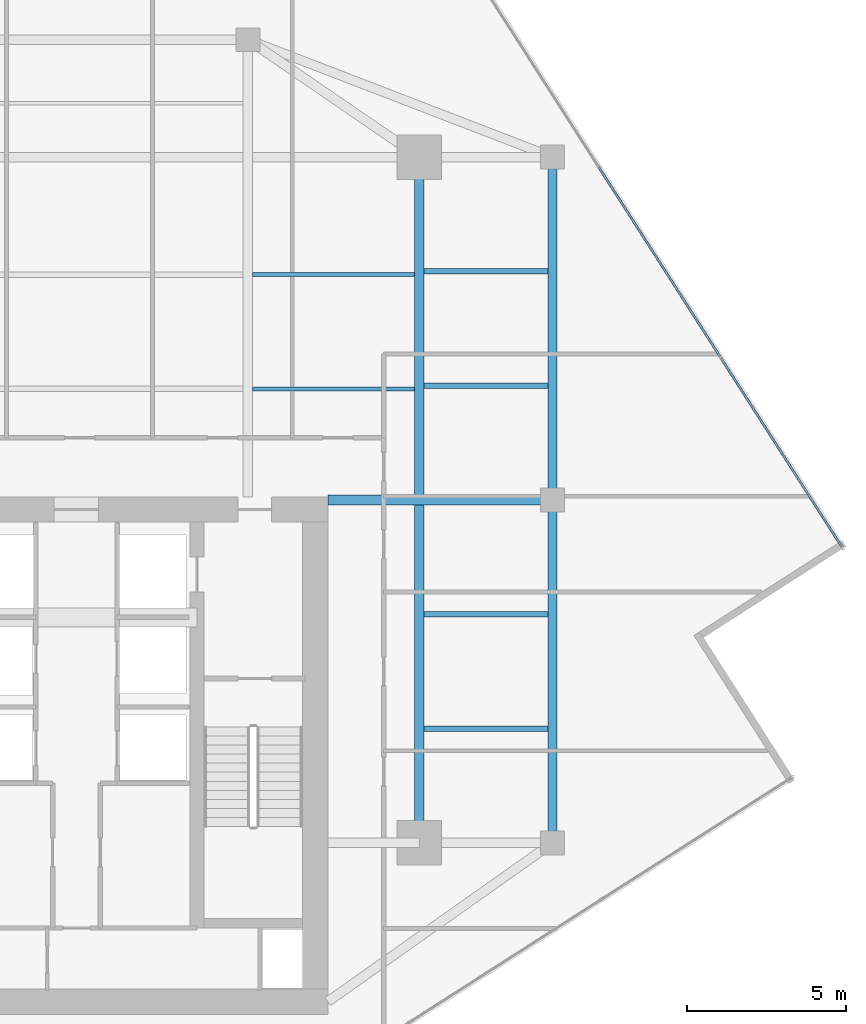
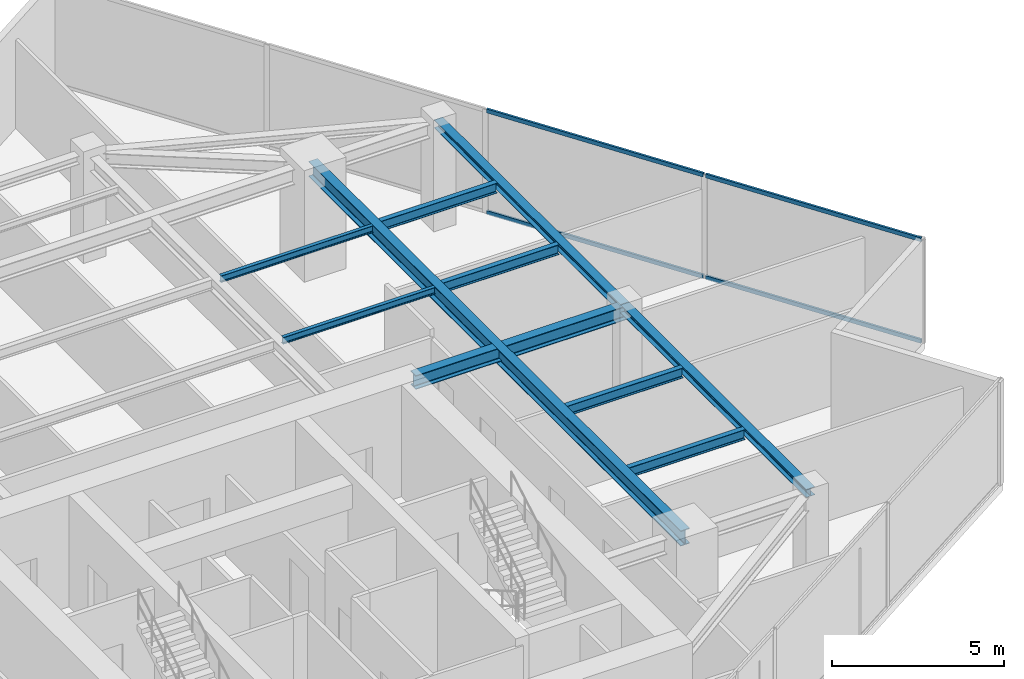
# One storey, part 9 of 20: 10 beams, 4 members, 1 element without a shape of its own.
"""IFC4 building model written with IfcOpenShell, lengths in metres."""

import ifcopenshell
import ifcopenshell.guid

model = None  # the IFC model being written
_history = None  # IfcOwnerHistory: only IFC2X3 demands one
_inside = {}  # id of a spatial element -> (the spatial element, [elements in it])
_under = {}  # id of a project, library or spatial element -> (it, [spatial elements below it])
_declared = {}  # id of a project -> (the project, [libraries it declares])
_typed = {}  # id of a type object -> (the type object, [elements of that type])
_made_of = {}  # id of a material, layer set ... -> (it, [elements and type objects made of it])


def new_model(schema):
    """Start an empty IFC model of exactly this schema.

    Asked for "IFC4X3", IfcOpenShell would pick the latest addendum, in which some entities
    have other attributes; the version numbers below select the first issue.
    IFC2X3 requires an IfcOwnerHistory on every rooted entity: one is made here for all.
    """
    global model, _history
    if schema == "IFC4X3":
        model = ifcopenshell.file(schema_version=(4, 3, 0, 0))
    else:
        model = ifcopenshell.file(schema=schema)
    _inside.clear()
    _under.clear()
    _declared.clear()
    _typed.clear()
    _made_of.clear()
    _history = None
    if model.schema == "IFC2X3":
        org = make("IfcOrganization", Name="unknown")
        user = make(
            "IfcPersonAndOrganization",
            ThePerson=make("IfcPerson", FamilyName="unknown"),
            TheOrganization=org,
        )
        app = make(
            "IfcApplication",
            ApplicationDeveloper=org,
            Version="unknown",
            ApplicationFullName="unknown",
            ApplicationIdentifier="unknown",
        )
        _history = make(
            "IfcOwnerHistory",
            OwningUser=user,
            OwningApplication=app,
            ChangeAction="ADDED",
            CreationDate=0,
        )
    return model


def make(cls, **values):
    """One entity of the class cls with the attributes given. An attribute that is None is left unset."""
    return model.create_entity(
        cls, **{name: value for name, value in values.items() if value is not None}
    )


def rooted(cls, **values):
    """An entity with a GlobalId (a new one), such as an element, a storey or a relation."""
    return make(cls, GlobalId=ifcopenshell.guid.new(), OwnerHistory=_history, **values)


def si_unit(unit_type, name, prefix=None):
    """IfcSIUnit, for example si_unit("LENGTHUNIT", "METRE", prefix="MILLI")."""
    return make("IfcSIUnit", UnitType=unit_type, Prefix=prefix, Name=name)


def assignment(units):
    """IfcUnitAssignment: the units of a project."""
    return None if units is None else make("IfcUnitAssignment", Units=units)


def point(xyz):
    """IfcCartesianPoint."""
    return None if xyz is None else make("IfcCartesianPoint", Coordinates=xyz)


def direction(xyz):
    """IfcDirection."""
    return None if xyz is None else make("IfcDirection", DirectionRatios=xyz)


def frame(location, z_axis=None, x_axis=None):
    """IfcAxis2Placement3D, a coordinate frame: its origin and axes. An axis left out is left unset."""
    return make(
        "IfcAxis2Placement3D",
        Location=point(location),
        Axis=direction(z_axis),
        RefDirection=direction(x_axis),
    )


def frame_2d(location, x_axis=None):
    """IfcAxis2Placement2D, a coordinate frame in the plane: its origin and x axis."""
    return make(
        "IfcAxis2Placement2D", Location=point(location), RefDirection=direction(x_axis)
    )


def origin():
    """The frame at (0, 0, 0) with its axes left unset."""
    return frame((0.0, 0.0, 0.0))


def origin_2d():
    """The frame at (0, 0) in the plane with its x axis left unset."""
    return frame_2d((0.0, 0.0))


def place(relative_to, where):
    """IfcLocalPlacement: puts the frame where relative to a parent placement (None: the world)."""
    return make(
        "IfcLocalPlacement", PlacementRelTo=relative_to, RelativePlacement=where
    )


def context(
    kind, dimensions, precision=None, world=None, true_north=None, identifier=None
):
    """IfcGeometricRepresentationContext, for example the 3D "Model" context."""
    return make(
        "IfcGeometricRepresentationContext",
        ContextIdentifier=identifier,
        ContextType=kind,
        CoordinateSpaceDimension=dimensions,
        Precision=precision,
        WorldCoordinateSystem=world,
        TrueNorth=true_north,
    )


def subcontext(parent, identifier, kind, view, scale=None):
    """IfcGeometricRepresentationSubContext, for example "Body" below "Model"."""
    return make(
        "IfcGeometricRepresentationSubContext",
        ContextIdentifier=identifier,
        ContextType=kind,
        ParentContext=parent,
        TargetScale=scale,
        TargetView=view,
    )


def project(units=None, contexts=None):
    """IfcProject with its units and contexts."""
    return rooted(
        "IfcProject",
        Name="project",
        RepresentationContexts=contexts,
        UnitsInContext=assignment(units),
    )


def spatial(cls, under=None, at=None, **own):
    """A site, building, storey or space (cls), placed at a placement, below another one or the project."""
    s = rooted(cls, ObjectPlacement=at, **own)
    if under is not None:
        _under.setdefault(under.id(), (under, []))[1].append(s)
    return s


def profile(cls, at=None, kind="AREA", **sizes):
    """A parametric profile (cls). Its sizes go by their IFC names, for example OverallWidth=200.0."""
    return make(cls, ProfileType=kind, Position=at, **sizes)


def hollow_rectangle(**sizes):
    """IfcRectangleHollowProfileDef."""
    return profile("IfcRectangleHollowProfileDef", **sizes)


def i_section(**sizes):
    """IfcIShapeProfileDef."""
    return profile("IfcIShapeProfileDef", **sizes)


def extrude(swept, where, along, depth):
    """IfcExtrudedAreaSolid: the profile swept, set in the frame where, extruded along a direction by depth."""
    return make(
        "IfcExtrudedAreaSolid",
        SweptArea=swept,
        Position=where,
        ExtrudedDirection=direction(along),
        Depth=depth,
    )


def shape(context_of_items, identifier, shape_type, items):
    """IfcShapeRepresentation: the items that make up one representation, for example the "Body"."""
    return make(
        "IfcShapeRepresentation",
        ContextOfItems=context_of_items,
        RepresentationIdentifier=identifier,
        RepresentationType=shape_type,
        Items=items,
    )


def source(mapping_origin, context_of_items, identifier, shape_type, items):
    """IfcRepresentationMap: a shape defined once, which mapped items show again and again."""
    return make(
        "IfcRepresentationMap",
        MappingOrigin=mapping_origin,
        MappedRepresentation=shape(context_of_items, identifier, shape_type, items),
    )


def transform(
    local_origin,
    x_axis=None,
    y_axis=None,
    z_axis=None,
    scale=None,
    scale2=None,
    scale3=None,
    uniform=True,
):
    """IfcCartesianTransformationOperator3D, or its non-uniform kind. x_axis, y_axis, z_axis: its Axis1, 2, 3."""
    if uniform:
        return make(
            "IfcCartesianTransformationOperator3D",
            Axis1=direction(x_axis),
            Axis2=direction(y_axis),
            LocalOrigin=point(local_origin),
            Scale=scale,
            Axis3=direction(z_axis),
        )
    return make(
        "IfcCartesianTransformationOperator3DnonUniform",
        Axis1=direction(x_axis),
        Axis2=direction(y_axis),
        LocalOrigin=point(local_origin),
        Scale=scale,
        Axis3=direction(z_axis),
        Scale2=scale2,
        Scale3=scale3,
    )


def mapped(mapping_source, mapping_target):
    """IfcMappedItem: shows the shape of a source again, moved by a transform."""
    return make(
        "IfcMappedItem", MappingSource=mapping_source, MappingTarget=mapping_target
    )


def material(Name=None, Category=None):
    """IfcMaterial."""
    return make("IfcMaterial", Name=Name, Category=Category)


def material_profile(
    of_material, cross_section, Name=None, Category=None, Priority=None
):
    """IfcMaterialProfile: a cross section and its material."""
    return make(
        "IfcMaterialProfile",
        Name=Name,
        Material=of_material,
        Profile=cross_section,
        Priority=Priority,
        Category=Category,
    )


def profile_set(profiles, Name=None, composite=None):
    """IfcMaterialProfileSet."""
    return make(
        "IfcMaterialProfileSet",
        Name=Name,
        MaterialProfiles=profiles,
        CompositeProfile=composite,
    )


def made_of(thing, what):
    """Note that an element or type object is made of a material, layer set ...; save() writes the relation."""
    if what is not None:
        _made_of.setdefault(what.id(), (what, []))[1].append(thing)
    return thing


def type_object(cls, material=None, **own):
    """A type object (cls), such as IfcWallType, which elements share."""
    return made_of(rooted(cls, **own), material)


def type_shapes(of_type, sources):
    """Give a type object the sources (RepresentationMaps) that its elements show as mapped items."""
    of_type.RepresentationMaps = sources


def element(
    cls,
    number,
    at=None,
    inside=None,
    cuts=None,
    type_object=None,
    material=None,
    context=None,
    identifier="Body",
    shape_type=None,
    held_by="IfcProductDefinitionShape",
    body=None,
    shapes=None,
    **own,
):
    """One element of the class cls, such as IfcWall. Its Tag is "e" and its number.

    at: its placement. inside: the storey or other place that contains it. cuts: it is an
    opening in that element (IfcRelVoidsElement). A single representation is given by context,
    identifier, shape_type and body (its items); several are given by shapes. held_by: the class
    of the entity that holds the representations. save() writes the other relations.
    """
    e = rooted(cls, Tag="e%d" % number, ObjectPlacement=at, **own)
    if body is not None:
        shapes = [shape(context, identifier, shape_type, body)]
    if shapes is not None:
        e.Representation = make(held_by, Representations=shapes)
    if inside is not None:
        _inside.setdefault(inside.id(), (inside, []))[1].append(e)
    if cuts is not None:
        rooted(
            "IfcRelVoidsElement", RelatingBuildingElement=cuts, RelatedOpeningElement=e
        )
    if type_object is not None:
        _typed.setdefault(type_object.id(), (type_object, []))[1].append(e)
    return made_of(e, material)


def aggregate(whole, parts):
    """IfcRelAggregates: a whole, such as a stair, and the parts it consists of."""
    return rooted("IfcRelAggregates", RelatingObject=whole, RelatedObjects=parts)


def save(model, path):
    """Write the relations noted so far, then the file.

    IfcRelAggregates (storeys below a building ...), IfcRelContainedInSpatialStructure (elements
    in a storey), IfcRelDefinesByType, IfcRelAssociatesMaterial and IfcRelDeclares: one each for
    every whole, place, type object, material and project.
    """
    for whole, parts in _under.values():
        aggregate(whole, parts)
    for where, things in _inside.values():
        rooted(
            "IfcRelContainedInSpatialStructure",
            RelatedElements=things,
            RelatingStructure=where,
        )
    for kind, things in _typed.values():
        rooted("IfcRelDefinesByType", RelatedObjects=things, RelatingType=kind)
    for what, things in _made_of.values():
        rooted("IfcRelAssociatesMaterial", RelatedObjects=things, RelatingMaterial=what)
    for by, libraries in _declared.values():
        rooted("IfcRelDeclares", RelatingContext=by, RelatedDefinitions=libraries)
    model.write(path)


model = new_model("IFC4")

# Units and contexts
model_context = context("Model", 3, precision=1e-05, world=origin(), true_north=direction((0.0, 1.0)))
body_context = subcontext(model_context, "Body", "Model", "MODEL_VIEW")
ifc_project = project(units=[si_unit("LENGTHUNIT", "METRE"), si_unit("AREAUNIT", "SQUARE_METRE"), si_unit("VOLUMEUNIT", "CUBIC_METRE"), si_unit("PLANEANGLEUNIT", "RADIAN"), si_unit("MASSUNIT", "GRAM", prefix="KILO")], contexts=[model_context])

# Site, building, storey
site_placement = place(None, origin())
site = spatial("IfcSite", under=ifc_project, at=site_placement, CompositionType="ELEMENT")
building_placement = place(site_placement, origin())
building = spatial("IfcBuilding", under=site, at=building_placement, Name="Krantzveldt Concourse Tower", CompositionType="ELEMENT")
storey_placement = place(building_placement, frame((0.0, 0.0, 291.10009765625)))
storey = spatial("IfcBuildingStorey", under=building, at=storey_placement, Name="L71", CompositionType="ELEMENT", Elevation=291.10009765625)

# Beams
ifc_material_1 = material(Name="Steel S355JR", Category="steel")
ifc_material_profile_1 = material_profile(ifc_material_1, i_section(OverallWidth=0.300048828125, OverallDepth=0.489990234375, WebThickness=0.011962890625, FlangeThickness=0.02294921875, FilletRadius=0.027099609375, at=origin_2d()), Name="Steel S355JR", Category="steel")
ifc_profile_set_1 = profile_set([ifc_material_profile_1], Name="Steel S355JR - HEA 500")
beam_type_1 = type_object("IfcBeamType", Name="BM-B-HEA500", PredefinedType="BEAM", material=ifc_profile_set_1)
shared_shape_1 = source(origin(), body_context, "Body", "SweptSolid", [
    extrude(i_section(OverallWidth=0.300048828125, OverallDepth=0.489990234375, WebThickness=0.011962890625, FlangeThickness=0.02294921875, FilletRadius=0.027099609375, at=origin_2d()), origin(), (0.0, 0.0, 1.0), 7.080078125),
])
type_shapes(beam_type_1, [shared_shape_1])
beam_1_placement = place(storey_placement, frame((43.919921875, 26.699951171875, 3.4248046875), z_axis=(1.0, 0.0, 0.0), x_axis=(0.0, 1.0, 0.0)))
element("IfcBeam", 1, at=beam_1_placement, inside=storey, type_object=beam_type_1, Name="L71 Tower Girder BG-CE2", PredefinedType="BEAM", context=body_context, shape_type="MappedRepresentation", body=[
    mapped(shared_shape_1, transform((0.0, 0.0, 0.0), x_axis=(1.0, 0.0, 0.0), y_axis=(0.0, 1.0, 0.0), z_axis=(0.0, 0.0, 1.0), scale=1.0)),
])
ifc_material_profile_2 = material_profile(ifc_material_1, i_section(OverallWidth=0.300048828125, OverallDepth=0.5400390625, WebThickness=0.012451171875, FlangeThickness=0.02392578125, FilletRadius=0.027099609375, at=origin_2d()), Name="Steel S355JR", Category="steel")
ifc_profile_set_2 = profile_set([ifc_material_profile_2], Name="Steel S355JR - HEA 550")
beam_type_2 = type_object("IfcBeamType", Name="BM-B-HEA550", PredefinedType="BEAM", material=ifc_profile_set_2)
shared_shape_2 = source(origin(), body_context, "Body", "SweptSolid", [
    extrude(i_section(OverallWidth=0.300048828125, OverallDepth=0.5400390625, WebThickness=0.012451171875, FlangeThickness=0.02392578125, FilletRadius=0.027099609375, at=origin_2d()), origin(), (0.0, 0.0, 1.0), 21.60009765625),
])
type_shapes(beam_type_2, [shared_shape_2])
beam_2_placement = place(storey_placement, frame((46.800048828125, 15.89990234375, 3.39990234375), z_axis=(0.0, 1.0, 0.0), x_axis=(-1.0, 0.0, 0.0)))
element("IfcBeam", 2, at=beam_2_placement, inside=storey, type_object=beam_type_2, Name="L71 Tower Girder BG-ME", PredefinedType="BEAM", context=body_context, shape_type="MappedRepresentation", body=[
    mapped(shared_shape_2, transform((0.0, 0.0, 0.0), x_axis=(1.0, 0.0, 0.0), y_axis=(0.0, 1.0, 0.0), z_axis=(0.0, 0.0, 1.0), scale=1.0)),
])
ifc_material_profile_3 = material_profile(ifc_material_1, i_section(OverallWidth=0.2900390625, OverallDepth=0.2900390625, WebThickness=0.008544921875, FlangeThickness=0.013916015625, FilletRadius=0.027099609375, at=origin_2d()), Name="Steel S355JR", Category="steel")
ifc_profile_set_3 = profile_set([ifc_material_profile_3], Name="Steel S355JR - HEA 300")
beam_type_3 = type_object("IfcBeamType", Name="BM-SP-HEA300", PredefinedType="SPANDREL", material=ifc_profile_set_3)
shared_shape_3 = source(origin(), body_context, "Body", "SweptSolid", [
    extrude(i_section(OverallWidth=0.2900390625, OverallDepth=0.2900390625, WebThickness=0.008544921875, FlangeThickness=0.013916015625, FilletRadius=0.027099609375, at=origin_2d()), origin(), (0.0, 0.0, 1.0), 10.800048828125),
])
type_shapes(beam_type_3, [shared_shape_3])
for number, where, z_axis, x_axis, name in (
    (3, (51.0, 37.5, 3.52490234375), (0.0, -1.0, 0.0), (1.0, 0.0, 0.0), "L71 Tower Girder SP-R06"),
    (4, (51.0, 26.699951171875, 3.52490234375), (0.0, -1.0, 0.0), (1.0, 0.0, 0.0), "L71 Tower Girder SP-R07"),
):
    element("IfcBeam", number, at=place(storey_placement, frame(where, z_axis=z_axis, x_axis=x_axis)), inside=storey, type_object=beam_type_3, Name=name, PredefinedType="SPANDREL", context=body_context, shape_type="MappedRepresentation", body=[
        mapped(shared_shape_3, transform((0.0, 0.0, 0.0), x_axis=(1.0, 0.0, 0.0), y_axis=(0.0, 1.0, 0.0), z_axis=(0.0, 0.0, 1.0), scale=1.0)),
    ])
ifc_material_profile_4 = material_profile(ifc_material_1, i_section(OverallWidth=0.1201171875, OverallDepth=0.239990234375, WebThickness=0.006103515625, FlangeThickness=0.009765625, FilletRadius=0.014892578125, at=origin_2d()), Name="Steel S355JR", Category="steel")
ifc_profile_set_4 = profile_set([ifc_material_profile_4], Name="Steel S355JR - IPE 240")
beam_type_4 = type_object("IfcBeamType", Name="BM-LN-IPE240", PredefinedType="LINTEL", material=ifc_profile_set_4)
shared_shape_4 = source(origin(), body_context, "Body", "SweptSolid", [
    extrude(i_section(OverallWidth=0.1201171875, OverallDepth=0.239990234375, WebThickness=0.006103515625, FlangeThickness=0.009765625, FilletRadius=0.014892578125, at=origin_2d()), origin(), (0.0, 0.0, 1.0), 5.099853515625),
])
type_shapes(beam_type_4, [shared_shape_4])
for number, where, z_axis, x_axis, name in (
    (5, (41.550048828125, 30.199951171875, 3.5498046875), (1.0, 0.0, 0.0), (0.0, 1.0, 0.0), "L71 Secondary Floor Joist JN-E1"),
    (6, (41.550048828125, 33.800048828125, 3.5498046875), (1.0, 0.0, 0.0), (0.0, 1.0, 0.0), "L71 Secondary Floor Joist JN-E2"),
):
    element("IfcBeam", number, at=place(storey_placement, frame(where, z_axis=z_axis, x_axis=x_axis)), inside=storey, type_object=beam_type_4, Name=name, PredefinedType="LINTEL", context=body_context, shape_type="MappedRepresentation", body=[
        mapped(shared_shape_4, transform((0.0, 0.0, 0.0), x_axis=(1.0, 0.0, 0.0), y_axis=(0.0, 1.0, 0.0), z_axis=(0.0, 0.0, 1.0), scale=1.0)),
    ])
ifc_material_profile_5 = material_profile(ifc_material_1, i_section(OverallWidth=0.169921875, OverallDepth=0.360107421875, WebThickness=0.008056640625, FlangeThickness=0.0126953125, FilletRadius=0.01806640625, at=origin_2d()), Name="Steel S355JR", Category="steel")
ifc_profile_set_5 = profile_set([ifc_material_profile_5], Name="Steel S355JR - IPE 360")
beam_type_5 = type_object("IfcBeamType", Name="BM-J-IPE360", PredefinedType="JOIST", material=ifc_profile_set_5)
shared_shape_5 = source(origin(), body_context, "Body", "SweptSolid", [
    extrude(i_section(OverallWidth=0.169921875, OverallDepth=0.360107421875, WebThickness=0.008056640625, FlangeThickness=0.0126953125, FilletRadius=0.01806640625, at=origin_2d()), origin(), (0.0, 0.0, 1.0), 3.900146484375),
])
type_shapes(beam_type_5, [shared_shape_5])
for number, where, z_axis, x_axis, name in (
    (7, (46.949951171875, 19.5, 3.489990234375), (1.0, 0.0, 0.0), (0.0, 1.0, 0.0), "L71 Secondary Floor Joist JE-1"),
    (8, (46.949951171875, 23.10009765625, 3.489990234375), (1.0, 0.0, 0.0), (0.0, 1.0, 0.0), "L71 Secondary Floor Joist JE-2"),
    (9, (46.949951171875, 30.300048828125, 3.489990234375), (1.0, 0.0, 0.0), (0.0, 1.0, 0.0), "L71 Secondary Floor Joist JE-3"),
    (10, (46.949951171875, 33.89990234375, 3.489990234375), (1.0, 0.0, 0.0), (0.0, 1.0, 0.0), "L71 Secondary Floor Joist JE-4"),
):
    element("IfcBeam", number, at=place(storey_placement, frame(where, z_axis=z_axis, x_axis=x_axis)), inside=storey, type_object=beam_type_5, Name=name, PredefinedType="JOIST", context=body_context, shape_type="MappedRepresentation", body=[
        mapped(shared_shape_5, transform((0.0, 0.0, 0.0), x_axis=(1.0, 0.0, 0.0), y_axis=(0.0, 1.0, 0.0), z_axis=(0.0, 0.0, 1.0), scale=1.0)),
    ])

# Curtain wall, members
ifc_material_2 = material(Name="Anodised aluminium 6063-T6", Category="aluminium")
curtain_wall_type = type_object("IfcCurtainWallType", Name="CW4", PredefinedType="USERDEFINED", material=ifc_material_2)
curtain_wall_placement = place(storey_placement, origin())
curtain_wall = element("IfcCurtainWall", 11, at=curtain_wall_placement, inside=storey, type_object=curtain_wall_type, Name="CW-L71-F10", ObjectType="UNITISED CURTAIN WALL", PredefinedType="USERDEFINED")
ifc_material_profile_6 = material_profile(ifc_material_2, hollow_rectangle(XDim=0.070068359375, YDim=0.139892578125, WallThickness=0.0048828125, at=origin_2d()), Name="Anodised aluminium 6063-T6", Category="aluminium")
ifc_profile_set_6 = profile_set([ifc_material_profile_6], Name="Anodised aluminium 6063-T6 - ALU-TRAN 140x70x5")
member_type = type_object("IfcMemberType", Name="CW-TRN-150", PredefinedType="USERDEFINED", material=ifc_profile_set_6)
shared_shape_6 = source(origin(), body_context, "Body", "SweptSolid", [
    extrude(hollow_rectangle(XDim=0.070068359375, YDim=0.139892578125, WallThickness=0.0048828125, at=origin_2d()), origin(), (0.0, 0.0, 1.0), 7.044921875),
])
member_1_placement = place(storey_placement, frame((60.103515625, 25.23388671875, 0.034912109375), z_axis=(-0.539129416232, 0.842222935186, 0.0), x_axis=(-0.842222935186, -0.539129416232, 0.0)))
member_1 = element("IfcMember", 12, at=member_1_placement, type_object=member_type, Name="CW-Z56 transom 1.1", ObjectType="TRANSOM", PredefinedType="USERDEFINED", context=body_context, shape_type="MappedRepresentation", body=[
    mapped(shared_shape_6, transform((0.0, 0.0, 0.0), x_axis=(1.0, 0.0, 0.0), y_axis=(0.0, 1.0, 0.0), z_axis=(0.0, 0.0, 1.0), scale=1.0)),
])
member_2_placement = place(storey_placement, frame((60.103515625, 25.23388671875, 3.635009765625), z_axis=(-0.539129416232, 0.842222935186, 0.0), x_axis=(-0.842222935186, -0.539129416232, 0.0)))
member_2 = element("IfcMember", 13, at=member_2_placement, type_object=member_type, Name="CW-Z56 transom 1.2", ObjectType="TRANSOM", PredefinedType="USERDEFINED", context=body_context, shape_type="MappedRepresentation", body=[
    mapped(shared_shape_6, transform((0.0, 0.0, 0.0), x_axis=(1.0, 0.0, 0.0), y_axis=(0.0, 1.0, 0.0), z_axis=(0.0, 0.0, 1.0), scale=1.0)),
])
shared_shape_7 = source(origin(), body_context, "Body", "SweptSolid", [
    extrude(hollow_rectangle(XDim=0.070068359375, YDim=0.139892578125, WallThickness=0.0048828125, at=origin_2d()), origin(), (0.0, 0.0, 1.0), 7.080078125),
])
type_shapes(member_type, [shared_shape_6, shared_shape_7])
member_3_placement = place(storey_placement, frame((56.267578125, 31.226318359375, 0.034912109375), z_axis=(-0.539142738786, 0.842214406915, 0.0), x_axis=(-0.842214406915, -0.539142738786, 0.0)))
member_3 = element("IfcMember", 14, at=member_3_placement, type_object=member_type, Name="CW-Z56 transom 2.1", ObjectType="TRANSOM", PredefinedType="USERDEFINED", context=body_context, shape_type="MappedRepresentation", body=[
    mapped(shared_shape_7, transform((0.0, 0.0, 0.0), x_axis=(1.0, 0.0, 0.0), y_axis=(0.0, 1.0, 0.0), z_axis=(0.0, 0.0, 1.0), scale=1.0)),
])
member_4_placement = place(storey_placement, frame((56.267578125, 31.226318359375, 3.635009765625), z_axis=(-0.539142738786, 0.842214406915, 0.0), x_axis=(-0.842214406915, -0.539142738786, 0.0)))
member_4 = element("IfcMember", 15, at=member_4_placement, type_object=member_type, Name="CW-Z56 transom 2.2", ObjectType="TRANSOM", PredefinedType="USERDEFINED", context=body_context, shape_type="MappedRepresentation", body=[
    mapped(shared_shape_7, transform((0.0, 0.0, 0.0), x_axis=(1.0, 0.0, 0.0), y_axis=(0.0, 1.0, 0.0), z_axis=(0.0, 0.0, 1.0), scale=1.0)),
])
aggregate(curtain_wall, [member_1, member_2, member_3, member_4])

save(model, "model.ifc")
